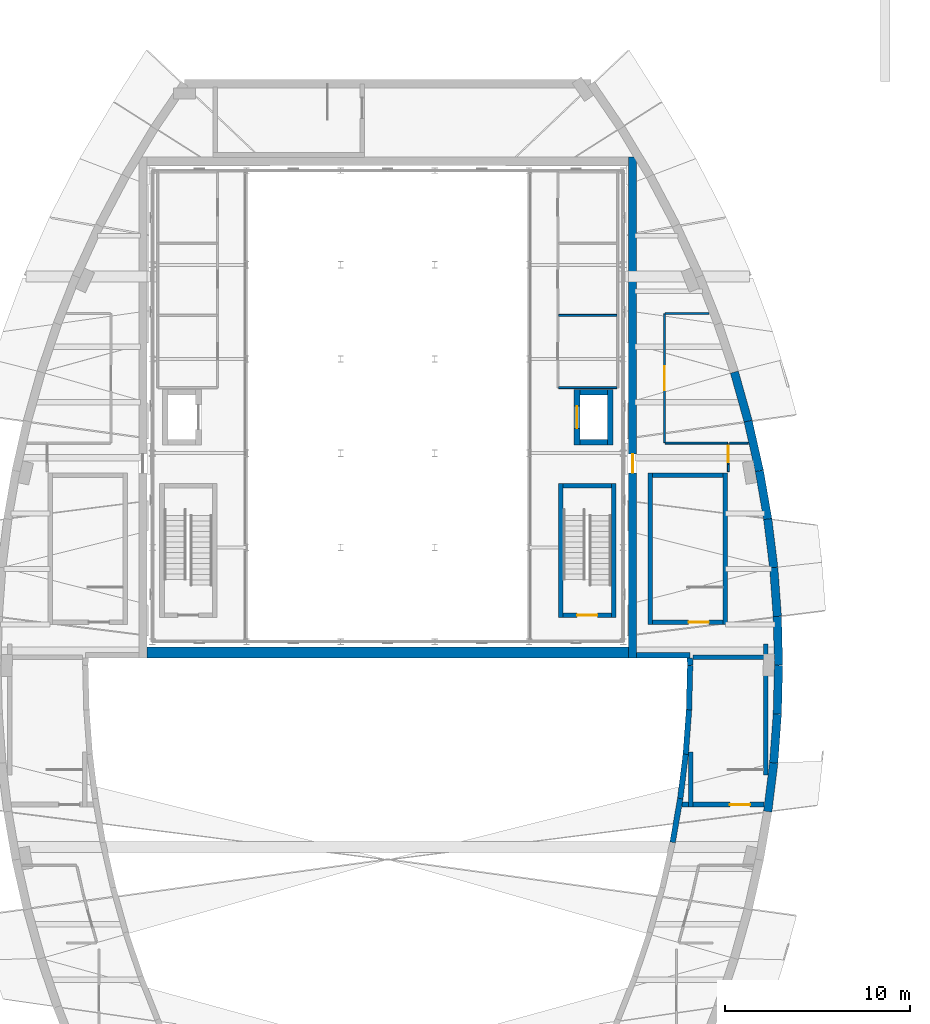
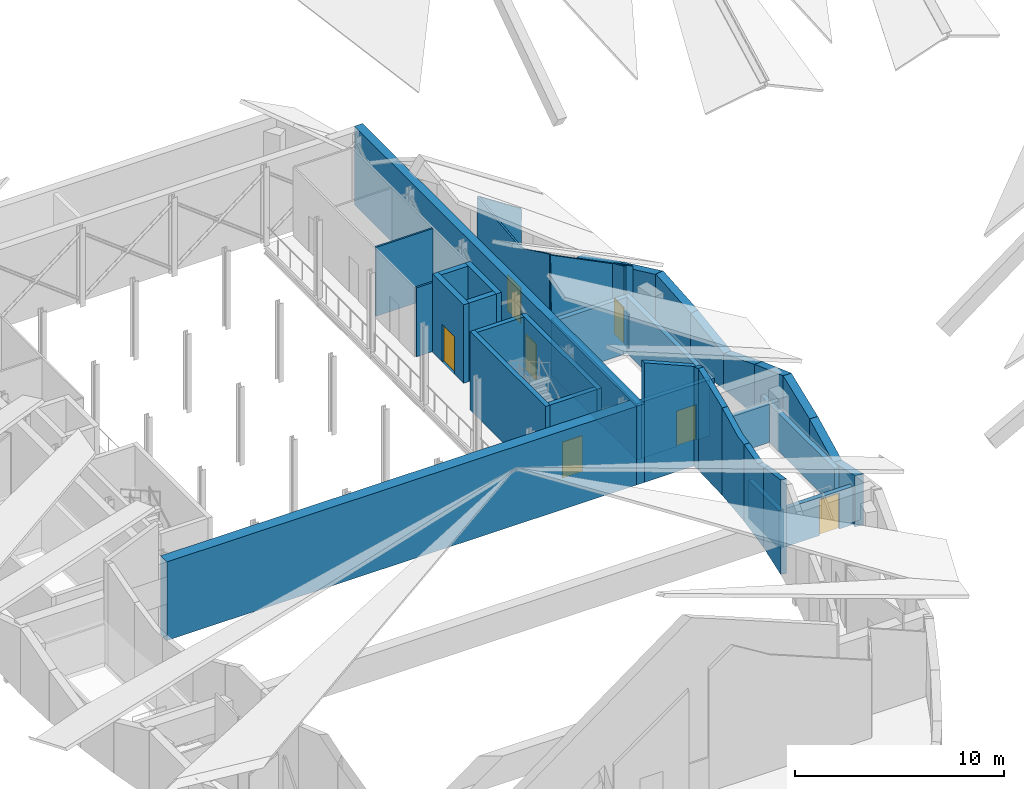
# One storey, part 15 of 17: 41 walls, 7 doors, 7 openings.
"""IFC4 building model written with IfcOpenShell, lengths in metres."""

import ifcopenshell
import ifcopenshell.guid

model = None  # the IFC model being written
_history = None  # IfcOwnerHistory: only IFC2X3 demands one
_inside = {}  # id of a spatial element -> (the spatial element, [elements in it])
_under = {}  # id of a project, library or spatial element -> (it, [spatial elements below it])
_declared = {}  # id of a project -> (the project, [libraries it declares])
_typed = {}  # id of a type object -> (the type object, [elements of that type])
_made_of = {}  # id of a material, layer set ... -> (it, [elements and type objects made of it])


def new_model(schema):
    """Start an empty IFC model of exactly this schema.

    Asked for "IFC4X3", IfcOpenShell would pick the latest addendum, in which some entities
    have other attributes; the version numbers below select the first issue.
    IFC2X3 requires an IfcOwnerHistory on every rooted entity: one is made here for all.
    """
    global model, _history
    if schema == "IFC4X3":
        model = ifcopenshell.file(schema_version=(4, 3, 0, 0))
    else:
        model = ifcopenshell.file(schema=schema)
    _inside.clear()
    _under.clear()
    _declared.clear()
    _typed.clear()
    _made_of.clear()
    _history = None
    if model.schema == "IFC2X3":
        org = make("IfcOrganization", Name="unknown")
        user = make(
            "IfcPersonAndOrganization",
            ThePerson=make("IfcPerson", FamilyName="unknown"),
            TheOrganization=org,
        )
        app = make(
            "IfcApplication",
            ApplicationDeveloper=org,
            Version="unknown",
            ApplicationFullName="unknown",
            ApplicationIdentifier="unknown",
        )
        _history = make(
            "IfcOwnerHistory",
            OwningUser=user,
            OwningApplication=app,
            ChangeAction="ADDED",
            CreationDate=0,
        )
    return model


def make(cls, **values):
    """One entity of the class cls with the attributes given. An attribute that is None is left unset."""
    return model.create_entity(
        cls, **{name: value for name, value in values.items() if value is not None}
    )


def rooted(cls, **values):
    """An entity with a GlobalId (a new one), such as an element, a storey or a relation."""
    return make(cls, GlobalId=ifcopenshell.guid.new(), OwnerHistory=_history, **values)


def si_unit(unit_type, name, prefix=None):
    """IfcSIUnit, for example si_unit("LENGTHUNIT", "METRE", prefix="MILLI")."""
    return make("IfcSIUnit", UnitType=unit_type, Prefix=prefix, Name=name)


def assignment(units):
    """IfcUnitAssignment: the units of a project."""
    return None if units is None else make("IfcUnitAssignment", Units=units)


def point(xyz):
    """IfcCartesianPoint."""
    return None if xyz is None else make("IfcCartesianPoint", Coordinates=xyz)


def direction(xyz):
    """IfcDirection."""
    return None if xyz is None else make("IfcDirection", DirectionRatios=xyz)


def frame(location, z_axis=None, x_axis=None):
    """IfcAxis2Placement3D, a coordinate frame: its origin and axes. An axis left out is left unset."""
    return make(
        "IfcAxis2Placement3D",
        Location=point(location),
        Axis=direction(z_axis),
        RefDirection=direction(x_axis),
    )


def frame_2d(location, x_axis=None):
    """IfcAxis2Placement2D, a coordinate frame in the plane: its origin and x axis."""
    return make(
        "IfcAxis2Placement2D", Location=point(location), RefDirection=direction(x_axis)
    )


def origin():
    """The frame at (0, 0, 0) with its axes left unset."""
    return frame((0.0, 0.0, 0.0))


def place(relative_to, where):
    """IfcLocalPlacement: puts the frame where relative to a parent placement (None: the world)."""
    return make(
        "IfcLocalPlacement", PlacementRelTo=relative_to, RelativePlacement=where
    )


def context(
    kind, dimensions, precision=None, world=None, true_north=None, identifier=None
):
    """IfcGeometricRepresentationContext, for example the 3D "Model" context."""
    return make(
        "IfcGeometricRepresentationContext",
        ContextIdentifier=identifier,
        ContextType=kind,
        CoordinateSpaceDimension=dimensions,
        Precision=precision,
        WorldCoordinateSystem=world,
        TrueNorth=true_north,
    )


def subcontext(parent, identifier, kind, view, scale=None):
    """IfcGeometricRepresentationSubContext, for example "Body" below "Model"."""
    return make(
        "IfcGeometricRepresentationSubContext",
        ContextIdentifier=identifier,
        ContextType=kind,
        ParentContext=parent,
        TargetScale=scale,
        TargetView=view,
    )


def project(units=None, contexts=None):
    """IfcProject with its units and contexts."""
    return rooted(
        "IfcProject",
        Name="project",
        RepresentationContexts=contexts,
        UnitsInContext=assignment(units),
    )


def spatial(cls, under=None, at=None, **own):
    """A site, building, storey or space (cls), placed at a placement, below another one or the project."""
    s = rooted(cls, ObjectPlacement=at, **own)
    if under is not None:
        _under.setdefault(under.id(), (under, []))[1].append(s)
    return s


def polyline(points):
    """IfcPolyline through the points."""
    return make("IfcPolyline", Points=[point(p) for p in points])


def profile(cls, at=None, kind="AREA", **sizes):
    """A parametric profile (cls). Its sizes go by their IFC names, for example OverallWidth=200.0."""
    return make(cls, ProfileType=kind, Position=at, **sizes)


def rectangle(**sizes):
    """IfcRectangleProfileDef."""
    return profile("IfcRectangleProfileDef", **sizes)


def outline(outer, holes=None, kind="AREA"):
    """IfcArbitraryClosedProfileDef: a profile drawn as a closed curve; with holes, ...WithVoids."""
    if holes is None:
        return make("IfcArbitraryClosedProfileDef", ProfileType=kind, OuterCurve=outer)
    return make(
        "IfcArbitraryProfileDefWithVoids",
        ProfileType=kind,
        OuterCurve=outer,
        InnerCurves=holes,
    )


def extrude(swept, where, along, depth):
    """IfcExtrudedAreaSolid: the profile swept, set in the frame where, extruded along a direction by depth."""
    return make(
        "IfcExtrudedAreaSolid",
        SweptArea=swept,
        Position=where,
        ExtrudedDirection=direction(along),
        Depth=depth,
    )


def shape(context_of_items, identifier, shape_type, items):
    """IfcShapeRepresentation: the items that make up one representation, for example the "Body"."""
    return make(
        "IfcShapeRepresentation",
        ContextOfItems=context_of_items,
        RepresentationIdentifier=identifier,
        RepresentationType=shape_type,
        Items=items,
    )


def material(Name=None, Category=None):
    """IfcMaterial."""
    return make("IfcMaterial", Name=Name, Category=Category)


def layer(
    of_material, thickness, ventilated=None, Name=None, Category=None, Priority=None
):
    """IfcMaterialLayer: one layer of a wall or slab, of a material (None: an air gap)."""
    return make(
        "IfcMaterialLayer",
        Material=of_material,
        LayerThickness=thickness,
        IsVentilated=ventilated,
        Name=Name,
        Category=Category,
        Priority=Priority,
    )


def layer_set(layers, Name=None):
    """IfcMaterialLayerSet."""
    return make("IfcMaterialLayerSet", MaterialLayers=layers, LayerSetName=Name)


def made_of(thing, what):
    """Note that an element or type object is made of a material, layer set ...; save() writes the relation."""
    if what is not None:
        _made_of.setdefault(what.id(), (what, []))[1].append(thing)
    return thing


def type_object(cls, material=None, **own):
    """A type object (cls), such as IfcWallType, which elements share."""
    return made_of(rooted(cls, **own), material)


def element(
    cls,
    number,
    at=None,
    inside=None,
    cuts=None,
    type_object=None,
    material=None,
    context=None,
    identifier="Body",
    shape_type=None,
    held_by="IfcProductDefinitionShape",
    body=None,
    shapes=None,
    **own,
):
    """One element of the class cls, such as IfcWall. Its Tag is "e" and its number.

    at: its placement. inside: the storey or other place that contains it. cuts: it is an
    opening in that element (IfcRelVoidsElement). A single representation is given by context,
    identifier, shape_type and body (its items); several are given by shapes. held_by: the class
    of the entity that holds the representations. save() writes the other relations.
    """
    e = rooted(cls, Tag="e%d" % number, ObjectPlacement=at, **own)
    if body is not None:
        shapes = [shape(context, identifier, shape_type, body)]
    if shapes is not None:
        e.Representation = make(held_by, Representations=shapes)
    if inside is not None:
        _inside.setdefault(inside.id(), (inside, []))[1].append(e)
    if cuts is not None:
        rooted(
            "IfcRelVoidsElement", RelatingBuildingElement=cuts, RelatedOpeningElement=e
        )
    if type_object is not None:
        _typed.setdefault(type_object.id(), (type_object, []))[1].append(e)
    return made_of(e, material)


def fill(opening, filler):
    """IfcRelFillsElement: the door or window that sits in an opening."""
    return rooted(
        "IfcRelFillsElement",
        RelatingOpeningElement=opening,
        RelatedBuildingElement=filler,
    )


def aggregate(whole, parts):
    """IfcRelAggregates: a whole, such as a stair, and the parts it consists of."""
    return rooted("IfcRelAggregates", RelatingObject=whole, RelatedObjects=parts)


def save(model, path):
    """Write the relations noted so far, then the file.

    IfcRelAggregates (storeys below a building ...), IfcRelContainedInSpatialStructure (elements
    in a storey), IfcRelDefinesByType, IfcRelAssociatesMaterial and IfcRelDeclares: one each for
    every whole, place, type object, material and project.
    """
    for whole, parts in _under.values():
        aggregate(whole, parts)
    for where, things in _inside.values():
        rooted(
            "IfcRelContainedInSpatialStructure",
            RelatedElements=things,
            RelatingStructure=where,
        )
    for kind, things in _typed.values():
        rooted("IfcRelDefinesByType", RelatedObjects=things, RelatingType=kind)
    for what, things in _made_of.values():
        rooted("IfcRelAssociatesMaterial", RelatedObjects=things, RelatingMaterial=what)
    for by, libraries in _declared.values():
        rooted("IfcRelDeclares", RelatingContext=by, RelatedDefinitions=libraries)
    model.write(path)


model = new_model("IFC4")

# Units and contexts
model_context = context("Model", 3, precision=1e-05, world=origin(), true_north=direction((0.0, 1.0)))
body_context = subcontext(model_context, "Body", "Model", "MODEL_VIEW")
ifc_project = project(units=[si_unit("LENGTHUNIT", "METRE"), si_unit("AREAUNIT", "SQUARE_METRE"), si_unit("VOLUMEUNIT", "CUBIC_METRE"), si_unit("PLANEANGLEUNIT", "RADIAN"), si_unit("MASSUNIT", "GRAM", prefix="KILO")], contexts=[model_context])

# Site, building, storey
site_placement = place(None, origin())
site = spatial("IfcSite", under=ifc_project, at=site_placement, CompositionType="ELEMENT")
building_placement = place(site_placement, origin())
building = spatial("IfcBuilding", under=site, at=building_placement, Name="Tide Square Theatres", CompositionType="ELEMENT")
storey_placement = place(building_placement, frame((0.0, 0.0, 14.800048828125)))
storey = spatial("IfcBuildingStorey", under=building, at=storey_placement, Name="L03", CompositionType="ELEMENT", Elevation=14.800048828125)

# Walls
ifc_material_1 = material(Name="Gypsum board on steel studs", Category="steel")
ifc_layer_1 = layer(ifc_material_1, 0.10009765625)
ifc_layer_set_1 = layer_set([ifc_layer_1], Name="Gypsum board on steel studs")
wall_type_1 = type_object("IfcWallType", Name="Partition 100 thick", PredefinedType="PARTITIONING", material=ifc_layer_set_1)
for number, where, z_axis, x_axis, name in (
    (1, (96.384033203125, 70.0, 0.0), (0.0, 0.0, 1.0), (-1.0, 0.0, 0.0), "Partition"),
    (2, (96.384033203125, 73.89990234375, 0.0), (0.0, 0.0, 1.0), (-1.0, 0.0, 0.0), "Partition"),
):
    element("IfcWall", number, at=place(storey_placement, frame(where, z_axis=z_axis, x_axis=x_axis)), inside=storey, type_object=wall_type_1, Name=name, PredefinedType="PARTITIONING", context=body_context, shape_type="SweptSolid", body=[
        extrude(rectangle(XDim=3.159912109375, YDim=0.10009765625, at=frame_2d((1.580078125, 0.0))), origin(), (0.0, 0.0, 1.0), 4.0400390625),
    ])

# Wall, opening, door
wall_1_placement = place(storey_placement, frame((98.949951171875, 67.023193359375, 0.0), z_axis=(0.0, 0.0, 1.0), x_axis=(0.0, 1.0, 0.0)))
wall_1 = element("IfcWall", 3, at=wall_1_placement, inside=storey, type_object=wall_type_1, Name="Partition", PredefinedType="PARTITIONING", context=body_context, shape_type="SweptSolid", body=[
    extrude(outline(polyline([(0.0, 0.0), (6.95361328125, 0.0), (6.9541015625, 4.951904296875), (6.696044921875, 4.9228515625), (6.43896484375, 4.889892578125), (6.180908203125, 4.85791015625), (5.924072265625, 4.824951171875), (5.666015625, 4.7919921875), (5.407958984375, 4.760009765625), (5.15087890625, 4.72705078125), (4.89306640625, 4.69384765625), (4.635986328125, 4.66796875), (4.3779296875, 4.64404296875), (4.12109375, 4.618896484375), (3.863037109375, 4.594970703125), (3.60595703125, 4.570068359375), (3.347900390625, 4.5458984375), (3.091064453125, 4.52197265625), (2.8330078125, 4.4970703125), (2.574951171875, 4.56396484375), (2.318115234375, 4.68701171875), (2.06005859375, 4.81005859375), (1.802978515625, 4.933837890625), (1.544921875, 5.056884765625), (1.2880859375, 5.179931640625), (1.030029296875, 5.302978515625), (0.77294921875, 5.426025390625), (0.514892578125, 5.550048828125), (0.258056640625, 5.666015625), (0.0, 5.781005859375), (0.0, 0.0)])), frame((0.0, 0.050048828125, 0.0), z_axis=(0.0, -1.0, 0.0), x_axis=(1.0, 0.0, 0.0)), (0.0, 0.0, 1.0), 0.10009765625),
])
opening_1_placement = place(wall_1_placement, frame((2.826904296875, 0.0, 0.0)))
opening_1 = element("IfcOpeningElement", 4, at=opening_1_placement, cuts=wall_1, Name="Opening M03-13", PredefinedType="OPENING", context=body_context, shape_type="SweptSolid", body=[
    extrude(rectangle(XDim=1.300048828125, YDim=2.10009765625, at=frame_2d((0.64990234375, 1.050048828125))), frame((0.0, 0.06005859375, 0.0), z_axis=(0.0, -1.0, 0.0), x_axis=(1.0, 0.0, 0.0)), (0.0, 0.0, 1.0), 0.1201171875),
])
ifc_material_2 = material(Name="Hardwood timber", Category="wood")
door_type_1 = type_object("IfcDoorType", Name="Door 1300 x 2100 double leaf", OperationType="DOUBLE_DOOR_SINGLE_SWING", PredefinedType="DOOR", material=ifc_material_2)
door_1_placement = place(opening_1_placement, origin())
door_1 = element("IfcDoor", 5, at=door_1_placement, inside=storey, type_object=door_type_1, Name="Air Handling Plant Room 02 door", OperationType="DOUBLE_DOOR_SINGLE_SWING", OverallHeight=2.10009765625, OverallWidth=1.300048828125, PredefinedType="DOOR", context=body_context, shape_type="SweptSolid", body=[
    extrude(rectangle(XDim=1.300048828125, YDim=2.10009765625, at=frame_2d((0.64990234375, 1.050048828125))), frame((0.0, 0.02490234375, 0.0), z_axis=(0.0, -1.0, 0.0), x_axis=(1.0, 0.0, 0.0)), (0.0, 0.0, 1.0), 0.050048828125),
])
fill(opening_1, door_1)

# Walls
wall_2_placement = place(storey_placement, frame((98.983154296875, 74.0, 0.0), z_axis=(0.0, 0.0, 1.0), x_axis=(1.0, 0.0, 0.0)))
element("IfcWall", 6, at=wall_2_placement, inside=storey, type_object=wall_type_1, Name="Partition", PredefinedType="PARTITIONING", context=body_context, shape_type="SweptSolid", body=[
    extrude(outline(polyline([(0.0, 0.0), (2.36376953125, 0.0), (2.3740234375, 3.388916015625), (2.110107421875, 3.56103515625), (1.845947265625, 3.73291015625), (1.5830078125, 3.906005859375), (1.319091796875, 4.077880859375), (1.054931640625, 4.25), (0.791015625, 4.421875), (0.528076171875, 4.594970703125), (0.263916015625, 4.766845703125), (0.0, 4.93896484375), (0.0, 0.0)])), frame((0.0, 0.050048828125, 0.0), z_axis=(0.0, -1.0, 0.0), x_axis=(1.0, 0.0, 0.0)), (0.0, 0.0, 1.0), 0.10009765625),
])
wall_3_placement = place(storey_placement, frame((102.360107421875, 67.0, 0.0), z_axis=(0.0, 0.0, 1.0), x_axis=(-1.0, 0.0, 0.0)))
element("IfcWall", 7, at=wall_3_placement, inside=storey, type_object=wall_type_1, Name="Partition", PredefinedType="PARTITIONING", context=body_context, shape_type="SweptSolid", body=[
    extrude(outline(polyline([(0.0, 0.0), (3.376953125, 0.0), (3.447021484375, 5.780029296875), (3.181884765625, 5.64794921875), (2.9169921875, 5.515869140625), (2.65087890625, 5.384033203125), (2.385986328125, 5.251953125), (2.12109375, 5.118896484375), (1.85595703125, 4.987060546875), (1.591064453125, 4.85498046875), (1.325927734375, 4.722900390625), (1.06103515625, 4.591064453125), (0.794921875, 4.458984375), (0.530029296875, 4.326904296875), (0.264892578125, 4.195068359375), (0.0, 4.06298828125), (0.0, 0.0)])), frame((0.0, 0.050048828125, 0.0), z_axis=(0.0, -1.0, 0.0), x_axis=(1.0, 0.0, 0.0)), (0.0, 0.0, 1.0), 0.10009765625),
])
wall_4_placement = place(storey_placement, frame((102.39990234375, 65.4599609375, 0.0), z_axis=(0.0, 0.0, 1.0), x_axis=(0.0, 1.0, 0.0)))
element("IfcWall", 8, at=wall_4_placement, inside=storey, type_object=wall_type_1, Name="Partition", PredefinedType="PARTITIONING", context=body_context, shape_type="SweptSolid", body=[
    extrude(rectangle(XDim=0.3935546875, YDim=0.10009765625, at=frame_2d((0.19677734375, 0.0))), origin(), (0.0, 0.0, 1.0), 1.995849609375),
])

# Wall, opening, door
wall_5_placement = place(storey_placement, frame((102.39990234375, 65.853515625, 0.0), z_axis=(0.0, 0.0, 1.0), x_axis=(0.0, 1.0, 0.0)))
wall_5 = element("IfcWall", 9, at=wall_5_placement, inside=storey, type_object=wall_type_1, Name="Partition", PredefinedType="PARTITIONING", context=body_context, shape_type="SweptSolid", body=[
    extrude(outline(polyline([(0.0, 0.0), (1.12646484375, 0.0), (1.126953125, 4.08203125), (0.844970703125, 4.2080078125), (0.56298828125, 4.333984375), (0.281982421875, 4.4599609375), (0.0, 4.5859375), (0.0, 0.0)])), frame((0.0, 0.050048828125, 0.0), z_axis=(0.0, -1.0, 0.0), x_axis=(1.0, 0.0, 0.0)), (0.0, 0.0, 1.0), 0.10009765625),
])
opening_2_placement = place(wall_5_placement, frame((0.11328125, 0.0, 0.0)))
opening_2 = element("IfcOpeningElement", 10, at=opening_2_placement, cuts=wall_5, Name="Opening M03-15", PredefinedType="OPENING", context=body_context, shape_type="SweptSolid", body=[
    extrude(rectangle(XDim=0.89990234375, YDim=2.10009765625, at=frame_2d((0.449951171875, 1.050048828125))), frame((0.0, 0.06005859375, 0.0), z_axis=(0.0, -1.0, 0.0), x_axis=(1.0, 0.0, 0.0)), (0.0, 0.0, 1.0), 0.1201171875),
])
ifc_material_3 = material(Name="Hardwood timber", Category="wood")
door_type_2 = type_object("IfcDoorType", Name="Door 900 x 2100 single leaf", OperationType="NOTDEFINED", PredefinedType="DOOR", material=ifc_material_3)
door_2_placement = place(opening_2_placement, frame((0.89990234375, 0.0, 0.0), z_axis=(0.0, 0.0, 1.0), x_axis=(-1.0, 0.0, 0.0)))
door_2 = element("IfcDoor", 11, at=door_2_placement, inside=storey, type_object=door_type_2, Name="Dimmer and Rack Room door", OperationType="SINGLE_SWING_LEFT", OverallHeight=2.10009765625, OverallWidth=0.89990234375, PredefinedType="DOOR", context=body_context, shape_type="SweptSolid", body=[
    extrude(rectangle(XDim=0.89990234375, YDim=2.10009765625, at=frame_2d((0.449951171875, 1.050048828125))), frame((0.0, 0.02490234375, 0.0), z_axis=(0.0, -1.0, 0.0), x_axis=(1.0, 0.0, 0.0)), (0.0, 0.0, 1.0), 0.050048828125),
])
fill(opening_2, door_2)

# Walls
wall_6_placement = place(storey_placement, frame((103.46533203125, 67.0, 0.0), z_axis=(0.0, 0.0, 1.0), x_axis=(-1.0, 0.0, 0.0)))
element("IfcWall", 12, at=wall_6_placement, inside=storey, type_object=wall_type_1, Name="Partition", PredefinedType="PARTITIONING", context=body_context, shape_type="SweptSolid", body=[
    extrude(outline(polyline([(0.0, 0.0), (0.995361328125, 0.0), (0.9951171875, 4.037841796875), (0.6640625, 3.873046875), (0.33203125, 3.7080078125), (0.0, 3.5419921875), (0.0, 0.0)])), frame((0.0, 0.050048828125, 0.0), z_axis=(0.0, -1.0, 0.0), x_axis=(1.0, 0.0, 0.0)), (0.0, 0.0, 1.0), 0.10009765625),
])
ifc_material_4 = material(Name="Concrete C40", Category="concrete")
ifc_layer_2 = layer(ifc_material_4, 0.449951171875)
ifc_layer_set_2 = layer_set([ifc_layer_2], Name="Concrete C40")
wall_type_2 = type_object("IfcWallType", Name="RC curved wall 450 thick", PredefinedType="SOLIDWALL", material=ifc_layer_set_2)
wall_7_placement = place(storey_placement, frame((104.526611328125, 47.10009765625, 0.0), z_axis=(0.0, 0.0, 1.0), x_axis=(0.122499610212, 0.992468561466, 0.0)))
element("IfcWall", 13, at=wall_7_placement, inside=storey, type_object=wall_type_2, Name="Main Theatre perimeter wall", PredefinedType="SOLIDWALL", context=body_context, shape_type="SweptSolid", body=[
    extrude(outline(polyline([(0.0, 0.0), (2.642822265625, 0.0), (2.642578125, 2.096435546875), (2.5556640625, 2.126220703125), (0.05712890625, 2.977783203125), (0.0, 2.996337890625), (0.0, 0.0)])), frame((0.0, 0.22509765625, 0.0), z_axis=(0.0, -1.0, 0.0), x_axis=(1.0, 0.0, 0.0)), (0.0, 0.0, 1.0), 0.449951171875),
])
wall_8_placement = place(storey_placement, frame((104.850341796875, 49.722900390625, 0.0), z_axis=(0.0, 0.0, 1.0), x_axis=(0.07363685767, 0.997285121313, 0.0)))
element("IfcWall", 14, at=wall_8_placement, inside=storey, type_object=wall_type_2, Name="Main Theatre perimeter wall", PredefinedType="SOLIDWALL", context=body_context, shape_type="SweptSolid", body=[
    extrude(outline(polyline([(0.0, 0.0), (2.642333984375, 0.0), (2.642578125, 2.969970703125), (2.631103515625, 2.96630859375), (0.0, 2.0927734375), (0.0, 0.0)])), frame((0.0, 0.22509765625, 0.0), z_axis=(0.0, -1.0, 0.0), x_axis=(1.0, 0.0, 0.0)), (0.0, 0.0, 1.0), 0.449951171875),
])
wall_9_placement = place(storey_placement, frame((105.044921875, 52.358154296875, 0.0), z_axis=(0.0, 0.0, 1.0), x_axis=(0.024666736886, 0.999695729756, 0.0)))
element("IfcWall", 15, at=wall_9_placement, inside=storey, type_object=wall_type_2, Name="Main Theatre perimeter wall", PredefinedType="SOLIDWALL", context=body_context, shape_type="SweptSolid", body=[
    extrude(outline(polyline([(0.0, 0.0), (2.642578125, 0.0), (2.642578125, 3.87353515625), (2.572509765625, 3.849853515625), (0.0, 2.9736328125), (0.0, 0.0)])), frame((0.0, 0.22509765625, 0.0), z_axis=(0.0, -1.0, 0.0), x_axis=(1.0, 0.0, 0.0)), (0.0, 0.0, 1.0), 0.449951171875),
])
wall_10_placement = place(storey_placement, frame((105.110107421875, 55.0, 0.0), z_axis=(0.0, 0.0, 1.0), x_axis=(-0.024666736886, 0.999695729756, 0.0)))
element("IfcWall", 16, at=wall_10_placement, inside=storey, type_object=wall_type_2, Name="Main Theatre perimeter wall", PredefinedType="SOLIDWALL", context=body_context, shape_type="SweptSolid", body=[
    extrude(outline(polyline([(0.0, 0.0), (2.642578125, 0.0), (2.642578125, 2.9736328125), (2.6201171875, 2.9814453125), (0.05908203125, 3.853515625), (0.0, 3.87353515625), (0.0, 0.0)])), frame((0.0, 0.22509765625, 0.0), z_axis=(0.0, -1.0, 0.0), x_axis=(1.0, 0.0, 0.0)), (0.0, 0.0, 1.0), 0.449951171875),
])
wall_11_placement = place(storey_placement, frame((105.044921875, 57.641845703125, 0.0), z_axis=(0.0, 0.0, 1.0), x_axis=(-0.07363685767, 0.997285121313, 0.0)))
element("IfcWall", 17, at=wall_11_placement, inside=storey, type_object=wall_type_2, Name="Main Theatre perimeter wall", PredefinedType="SOLIDWALL", context=body_context, shape_type="SweptSolid", body=[
    extrude(outline(polyline([(0.0, 0.0), (2.642333984375, 0.0), (2.642578125, 2.069091796875), (2.60302734375, 2.08251953125), (0.0, 2.969970703125), (0.0, 0.0)])), frame((0.0, 0.22509765625, 0.0), z_axis=(0.0, -1.0, 0.0), x_axis=(1.0, 0.0, 0.0)), (0.0, 0.0, 1.0), 0.449951171875),
])
wall_12_placement = place(storey_placement, frame((104.850341796875, 60.277099609375, 0.0), z_axis=(0.0, 0.0, 1.0), x_axis=(-0.122499610212, 0.992468561466, 0.0)))
element("IfcWall", 18, at=wall_12_placement, inside=storey, type_object=wall_type_2, Name="Main Theatre perimeter wall", PredefinedType="SOLIDWALL", context=body_context, shape_type="SweptSolid", body=[
    extrude(outline(polyline([(0.0, 0.0), (2.642822265625, 0.0), (2.642578125, 2.966552734375), (2.58544921875, 2.9482421875), (0.0869140625, 2.096435546875), (0.0, 2.06689453125), (0.0, 0.0)])), frame((0.0, 0.22509765625, 0.0), z_axis=(0.0, -1.0, 0.0), x_axis=(1.0, 0.0, 0.0)), (0.0, 0.0, 1.0), 0.449951171875),
])
wall_13_placement = place(storey_placement, frame((104.526611328125, 62.89990234375, 0.0), z_axis=(0.0, 0.0, 1.0), x_axis=(-0.171196910379, 0.985236833394, 0.0)))
element("IfcWall", 19, at=wall_13_placement, inside=storey, type_object=wall_type_2, Name="Main Theatre perimeter wall", PredefinedType="SOLIDWALL", context=body_context, shape_type="SweptSolid", body=[
    extrude(outline(polyline([(0.0, 0.0), (2.642578125, 0.0), (2.642578125, 3.83154296875), (2.602294921875, 3.8564453125), (2.524169921875, 3.829833984375), (0.069091796875, 2.99365234375), (0.0, 2.97021484375), (0.0, 0.0)])), frame((0.0, 0.22509765625, 0.0), z_axis=(0.0, -1.0, 0.0), x_axis=(1.0, 0.0, 0.0)), (0.0, 0.0, 1.0), 0.449951171875),
])
wall_14_placement = place(storey_placement, frame((104.07421875, 65.50341796875, 0.0), z_axis=(0.0, 0.0, 1.0), x_axis=(-0.220347996563, 0.975421324562, 0.0)))
element("IfcWall", 20, at=wall_14_placement, inside=storey, type_object=wall_type_2, Name="Main Theatre perimeter wall", PredefinedType="SOLIDWALL", context=body_context, shape_type="SweptSolid", body=[
    extrude(outline(polyline([(0.0, 0.0), (2.752197265625, 0.0), (2.75244140625, 2.925048828125), (2.733154296875, 2.93212890625), (0.130859375, 3.784912109375), (0.080078125, 3.801513671875), (0.0, 3.82763671875), (0.0, 0.0)])), frame((0.0, 0.22509765625, 0.0), z_axis=(0.0, -1.0, 0.0), x_axis=(1.0, 0.0, 0.0)), (0.0, 0.0, 1.0), 0.449951171875),
])
wall_15_placement = place(storey_placement, frame((103.4677734375, 68.18798828125, 0.0), z_axis=(0.0, 0.0, 1.0), x_axis=(-0.270008269196, 0.962858003324, 0.0)))
element("IfcWall", 21, at=wall_15_placement, inside=storey, type_object=wall_type_2, Name="Main Theatre perimeter wall", PredefinedType="SOLIDWALL", context=body_context, shape_type="SweptSolid", body=[
    extrude(outline(polyline([(0.0, 0.0), (2.75244140625, 0.0), (2.752197265625, 2.02734375), (0.0, 2.921142578125), (0.0, 0.0)])), frame((0.0, 0.22509765625, 0.0), z_axis=(0.0, -1.0, 0.0), x_axis=(1.0, 0.0, 0.0)), (0.0, 0.0, 1.0), 0.449951171875),
])

# Wall, opening, door
wall_16_placement = place(storey_placement, frame((97.22509765625, 55.39990234375, 0.0), z_axis=(0.0, 0.0, 1.0), x_axis=(0.0, 1.0, 0.0)))
wall_16 = element("IfcWall", 22, at=wall_16_placement, inside=storey, type_object=wall_type_2, Name="Stage house wall", PredefinedType="SOLIDWALL", context=body_context, shape_type="SweptSolid", body=[
    extrude(rectangle(XDim=27.050048828125, YDim=0.449951171875, at=frame_2d((13.52490234375, 0.0))), origin(), (0.0, 0.0, 1.0), 4.599853515625),
])
opening_3_placement = place(wall_16_placement, frame((10.0, 0.0, 0.0)))
opening_3 = element("IfcOpeningElement", 23, at=opening_3_placement, cuts=wall_16, Name="Opening M03-17", PredefinedType="OPENING", context=body_context, shape_type="SweptSolid", body=[
    extrude(rectangle(XDim=1.0, YDim=2.10009765625, at=frame_2d((0.5, 1.050048828125))), frame((0.0, 0.23486328125, 0.0), z_axis=(0.0, -1.0, 0.0), x_axis=(1.0, 0.0, 0.0)), (0.0, 0.0, 1.0), 0.469970703125),
])
ifc_material_5 = material(Name="Hardwood timber", Category="wood")
door_type_3 = type_object("IfcDoorType", Name="Door 1000 x 2100 single leaf", OperationType="NOTDEFINED", PredefinedType="DOOR", material=ifc_material_5)
door_3_placement = place(opening_3_placement, frame((1.0, 0.0, 0.0), z_axis=(0.0, 0.0, 1.0), x_axis=(-1.0, 0.0, 0.0)))
door_3 = element("IfcDoor", 24, at=door_3_placement, inside=storey, type_object=door_type_3, Name="Plant corridor door to the fly gallery", OperationType="SINGLE_SWING_LEFT", OverallHeight=2.10009765625, OverallWidth=1.0, PredefinedType="DOOR", context=body_context, shape_type="SweptSolid", body=[
    extrude(rectangle(XDim=1.0, YDim=2.10009765625, at=frame_2d((0.5, 1.050048828125))), frame((0.0, 0.02490234375, 0.0), z_axis=(0.0, -1.0, 0.0), x_axis=(1.0, 0.0, 0.0)), (0.0, 0.0, 1.0), 0.050048828125),
])
fill(opening_3, door_3)

# Walls
ifc_material_6 = material(Name="Concrete C40", Category="concrete")
ifc_layer_3 = layer(ifc_material_6, 0.25)
ifc_layer_set_3 = layer_set([ifc_layer_3], Name="Concrete C40")
wall_type_3 = type_object("IfcWallType", Name="RC shear wall 250 thick", PredefinedType="SHEAR", material=ifc_layer_set_3)
for number, where, z_axis, x_axis, name in (
    (25, (102.22509765625, 57.199951171875, 0.0), (0.0, 0.0, 1.0), (0.0, 1.0, 0.0), "Main Theatre East Stair shaft wall"),
    (26, (98.175048828125, 65.39990234375, 0.0), (0.0, 0.0, 1.0), (0.0, -1.0, 0.0), "Main Theatre East Stair shaft wall"),
):
    element("IfcWall", number, at=place(storey_placement, frame(where, z_axis=z_axis, x_axis=x_axis)), inside=storey, type_object=wall_type_3, Name=name, PredefinedType="SHEAR", context=body_context, shape_type="SweptSolid", body=[
        extrude(rectangle(XDim=8.199951171875, YDim=0.25, at=frame_2d((4.10009765625, 0.0))), origin(), (0.0, 0.0, 1.0), 3.294189453125),
    ])
wall_17_placement = place(storey_placement, frame((98.300048828125, 65.27490234375, 0.0), z_axis=(0.0, 0.0, 1.0), x_axis=(1.0, 0.0, 0.0)))
element("IfcWall", 27, at=wall_17_placement, inside=storey, type_object=wall_type_3, Name="Main Theatre East Stair shaft wall", PredefinedType="SHEAR", context=body_context, shape_type="SweptSolid", body=[
    extrude(rectangle(XDim=3.800048828125, YDim=0.25, at=frame_2d((1.89990234375, 0.0))), origin(), (0.0, 0.0, 1.0), 3.294189453125),
])

# Wall, opening, door
wall_18_placement = place(storey_placement, frame((102.10009765625, 57.324951171875, 0.0), z_axis=(0.0, 0.0, 1.0), x_axis=(-1.0, 0.0, 0.0)))
wall_18 = element("IfcWall", 28, at=wall_18_placement, inside=storey, type_object=wall_type_3, Name="Main Theatre East Stair shaft wall", PredefinedType="SHEAR", context=body_context, shape_type="SweptSolid", body=[
    extrude(rectangle(XDim=3.800048828125, YDim=0.25, at=frame_2d((1.89990234375, 0.0))), origin(), (0.0, 0.0, 1.0), 3.294189453125),
])
opening_4_placement = place(wall_18_placement, frame((0.75, 0.0, 0.0)))
opening_4 = element("IfcOpeningElement", 29, at=opening_4_placement, cuts=wall_18, Name="Opening M03-02", PredefinedType="OPENING", context=body_context, shape_type="SweptSolid", body=[
    extrude(rectangle(XDim=1.10009765625, YDim=2.10009765625, at=frame_2d((0.550048828125, 1.050048828125))), frame((0.0, 0.135009765625, 0.0), z_axis=(0.0, -1.0, 0.0), x_axis=(1.0, 0.0, 0.0)), (0.0, 0.0, 1.0), 0.27001953125),
])
ifc_material_7 = material(Name="Painted steel", Category="steel")
door_type_4 = type_object("IfcDoorType", Name="Door 1100 x 2100 single leaf", OperationType="NOTDEFINED", PredefinedType="DOOR", material=ifc_material_7)
door_4_placement = place(opening_4_placement, frame((1.10009765625, 0.0, 0.0), z_axis=(0.0, 0.0, 1.0), x_axis=(-1.0, 0.0, 0.0)))
door_4 = element("IfcDoor", 30, at=door_4_placement, inside=storey, type_object=door_type_4, Name="Main Theatre East Stair stair door", OperationType="SINGLE_SWING_LEFT", OverallHeight=2.10009765625, OverallWidth=1.10009765625, PredefinedType="DOOR", context=body_context, shape_type="SweptSolid", body=[
    extrude(rectangle(XDim=1.10009765625, YDim=2.10009765625, at=frame_2d((0.550048828125, 1.050048828125))), frame((0.0, 0.02490234375, 0.0), z_axis=(0.0, -1.0, 0.0), x_axis=(1.0, 0.0, 0.0)), (0.0, 0.0, 1.0), 0.050048828125),
])
fill(opening_4, door_4)

# Walls
wall_19_placement = place(storey_placement, frame((104.425048828125, 49.060791015625, 0.0), z_axis=(0.0, 0.0, 1.0), x_axis=(0.0, 1.0, 0.0)))
element("IfcWall", 31, at=wall_19_placement, inside=storey, type_object=wall_type_3, Name="Main Theatre East Circle Stair shaft wall", PredefinedType="SHEAR", context=body_context, shape_type="SweptSolid", body=[
    extrude(rectangle(XDim=7.089111328125, YDim=0.25, at=frame_2d((3.54443359375, 0.0))), origin(), (0.0, 0.0, 1.0), 2.23193359375),
])
wall_20_placement = place(storey_placement, frame((100.375, 50.318115234375, 0.0), z_axis=(0.0, 0.0, 1.0), x_axis=(0.0, -1.0, 0.0)))
element("IfcWall", 32, at=wall_20_placement, inside=storey, type_object=wall_type_3, Name="Main Theatre East Circle Stair shaft wall", PredefinedType="SHEAR", context=body_context, shape_type="SweptSolid", body=[
    extrude(rectangle(XDim=2.968017578125, YDim=0.25, at=frame_2d((1.48388671875, 0.0))), origin(), (0.0, 0.0, 1.0), 2.23193359375),
])
wall_21_placement = place(storey_placement, frame((100.47998046875, 55.425048828125, 0.0), z_axis=(0.0, 0.0, 1.0), x_axis=(1.0, 0.0, 0.0)))
element("IfcWall", 33, at=wall_21_placement, inside=storey, type_object=wall_type_3, Name="Main Theatre East Circle Stair shaft wall", PredefinedType="SHEAR", context=body_context, shape_type="SweptSolid", body=[
    extrude(rectangle(XDim=4.419921875, YDim=0.25, at=frame_2d((2.2099609375, 0.0))), origin(), (0.0, 0.0, 1.0), 2.23193359375),
])

# Wall, opening, door
wall_22_placement = place(storey_placement, frame((104.330078125, 47.47509765625, 0.0), z_axis=(0.0, 0.0, 1.0), x_axis=(-1.0, 0.0, 0.0)))
wall_22 = element("IfcWall", 34, at=wall_22_placement, inside=storey, type_object=wall_type_3, Name="Main Theatre East Circle Stair shaft wall", PredefinedType="SHEAR", context=body_context, shape_type="SweptSolid", body=[
    extrude(rectangle(XDim=4.43017578125, YDim=0.25, at=frame_2d((2.215087890625, 0.0))), origin(), (0.0, 0.0, 1.0), 2.23193359375),
])
opening_5_placement = place(wall_22_placement, frame((0.75, 0.0, 0.0)))
opening_5 = element("IfcOpeningElement", 35, at=opening_5_placement, cuts=wall_22, Name="Opening M03-04", PredefinedType="OPENING", context=body_context, shape_type="SweptSolid", body=[
    extrude(rectangle(XDim=1.10009765625, YDim=2.10009765625, at=frame_2d((0.550048828125, 1.050048828125))), frame((0.0, 0.135009765625, 0.0), z_axis=(0.0, -1.0, 0.0), x_axis=(1.0, 0.0, 0.0)), (0.0, 0.0, 1.0), 0.27001953125),
])
door_5_placement = place(opening_5_placement, origin())
door_5 = element("IfcDoor", 36, at=door_5_placement, inside=storey, type_object=door_type_4, Name="Main Theatre East Circle Stair stair door", OperationType="SINGLE_SWING_RIGHT", OverallHeight=2.10009765625, OverallWidth=1.10009765625, PredefinedType="DOOR", context=body_context, shape_type="SweptSolid", body=[
    extrude(rectangle(XDim=1.10009765625, YDim=2.10009765625, at=frame_2d((0.550048828125, 1.050048828125))), frame((0.0, 0.02490234375, 0.0), z_axis=(0.0, -1.0, 0.0), x_axis=(1.0, 0.0, 0.0)), (0.0, 0.0, 1.0), 0.050048828125),
])
fill(opening_5, door_5)

# Walls
for number, where, z_axis, x_axis, name in (
    (37, (96.198974609375, 57.575927734375, 0.0), (0.0, 0.0, 1.0), (0.0, 1.0, 0.0), "Fly Tower east stair shaft wall"),
    (38, (93.34912109375, 64.825927734375, 0.0), (0.0, 0.0, 1.0), (0.0, -1.0, 0.0), "Fly Tower east stair shaft wall"),
):
    element("IfcWall", number, at=place(storey_placement, frame(where, z_axis=z_axis, x_axis=x_axis)), inside=storey, type_object=wall_type_3, Name=name, PredefinedType="SHEAR", context=body_context, shape_type="SweptSolid", body=[
        extrude(rectangle(XDim=7.25, YDim=0.25, at=frame_2d((3.625, 0.0))), origin(), (0.0, 0.0, 1.0), 4.599853515625),
    ])
wall_23_placement = place(storey_placement, frame((93.47412109375, 64.700927734375, 0.0), z_axis=(0.0, 0.0, 1.0), x_axis=(1.0, 0.0, 0.0)))
element("IfcWall", 39, at=wall_23_placement, inside=storey, type_object=wall_type_3, Name="Fly Tower east stair shaft wall", PredefinedType="SHEAR", context=body_context, shape_type="SweptSolid", body=[
    extrude(rectangle(XDim=2.599853515625, YDim=0.25, at=frame_2d((1.2998046875, 0.0))), origin(), (0.0, 0.0, 1.0), 4.599853515625),
])

# Wall, opening, door
wall_24_placement = place(storey_placement, frame((96.073974609375, 57.700927734375, 0.0), z_axis=(0.0, 0.0, 1.0), x_axis=(-1.0, 0.0, 0.0)))
wall_24 = element("IfcWall", 40, at=wall_24_placement, inside=storey, type_object=wall_type_3, Name="Fly Tower east stair shaft wall", PredefinedType="SHEAR", context=body_context, shape_type="SweptSolid", body=[
    extrude(rectangle(XDim=2.599853515625, YDim=0.25, at=frame_2d((1.2998046875, 0.0))), origin(), (0.0, 0.0, 1.0), 4.599853515625),
])
opening_6_placement = place(wall_24_placement, frame((0.75, 0.0, 0.0)))
opening_6 = element("IfcOpeningElement", 41, at=opening_6_placement, cuts=wall_24, Name="Opening T03-02", PredefinedType="OPENING", context=body_context, shape_type="SweptSolid", body=[
    extrude(rectangle(XDim=1.10009765625, YDim=2.10009765625, at=frame_2d((0.550048828125, 1.050048828125))), frame((0.0, 0.135009765625, 0.0), z_axis=(0.0, -1.0, 0.0), x_axis=(1.0, 0.0, 0.0)), (0.0, 0.0, 1.0), 0.27001953125),
])
door_6_placement = place(opening_6_placement, origin())
door_6 = element("IfcDoor", 42, at=door_6_placement, inside=storey, type_object=door_type_4, Name="Fly Tower east stair stair door", OperationType="SINGLE_SWING_RIGHT", OverallHeight=2.10009765625, OverallWidth=1.10009765625, PredefinedType="DOOR", context=body_context, shape_type="SweptSolid", body=[
    extrude(rectangle(XDim=1.10009765625, YDim=2.10009765625, at=frame_2d((0.550048828125, 1.050048828125))), frame((0.0, 0.02490234375, 0.0), z_axis=(0.0, -1.0, 0.0), x_axis=(1.0, 0.0, 0.0)), (0.0, 0.0, 1.0), 0.050048828125),
])
fill(opening_6, door_6)

# Walls
ifc_material_8 = material(Name="Concrete C40", Category="concrete")
ifc_layer_4 = layer(ifc_material_8, 0.300048828125)
ifc_layer_set_4 = layer_set([ifc_layer_4], Name="Concrete C40")
wall_type_4 = type_object("IfcWallType", Name="RC shear wall 300 thick", PredefinedType="SHEAR", material=ifc_layer_set_4)
wall_25_placement = place(storey_placement, frame((99.39013671875, 45.431884765625, 0.0), z_axis=(0.0, 0.0, 1.0), x_axis=(0.171225522804, 0.985231861209, 0.0)))
element("IfcWall", 43, at=wall_25_placement, inside=storey, type_object=wall_type_4, Name="Main Theatre auditorium wall", PredefinedType="SHEAR", context=body_context, shape_type="SweptSolid", body=[
    extrude(outline(polyline([(0.0, 0.0), (2.405517578125, 0.0), (2.4052734375, 4.692138671875), (1.101318359375, 5.159423828125), (1.009033203125, 5.19091796875), (0.0, 5.534423828125), (0.0, 0.0)])), frame((0.0, 0.14990234375, 0.0), z_axis=(0.0, -1.0, 0.0), x_axis=(1.0, 0.0, 0.0)), (0.0, 0.0, 1.0), 0.300048828125),
])
wall_26_placement = place(storey_placement, frame((99.802001953125, 47.8017578125, 0.0), z_axis=(0.0, 0.0, 1.0), x_axis=(0.122487115362, 0.992470103615, 0.0)))
element("IfcWall", 44, at=wall_26_placement, inside=storey, type_object=wall_type_4, Name="Main Theatre auditorium wall", PredefinedType="SHEAR", context=body_context, shape_type="SweptSolid", body=[
    extrude(outline(polyline([(0.0, 0.0), (2.40771484375, 0.0), (2.407958984375, 4.4931640625), (0.739501953125, 4.436767578125), (0.681640625, 4.45751953125), (0.623779296875, 4.47705078125), (0.0, 4.689453125), (0.0, 0.0)])), frame((0.0, 0.14990234375, 0.0), z_axis=(0.0, -1.0, 0.0), x_axis=(1.0, 0.0, 0.0)), (0.0, 0.0, 1.0), 0.300048828125),
])
wall_27_placement = place(storey_placement, frame((100.096923828125, 50.19140625, 0.0), z_axis=(0.0, 0.0, 1.0), x_axis=(0.073711091533, 0.997279637306, 0.0)))
element("IfcWall", 45, at=wall_27_placement, inside=storey, type_object=wall_type_4, Name="Main Theatre auditorium wall", PredefinedType="SHEAR", context=body_context, shape_type="SweptSolid", body=[
    extrude(outline(polyline([(0.0, 0.0), (2.407958984375, 0.0), (2.407958984375, 5.111328125), (0.749267578125, 4.54638671875), (0.6962890625, 4.5341796875), (0.0, 4.49365234375), (0.0, 0.0)])), frame((0.0, 0.14990234375, 0.0), z_axis=(0.0, -1.0, 0.0), x_axis=(1.0, 0.0, 0.0)), (0.0, 0.0, 1.0), 0.300048828125),
])
wall_28_placement = place(storey_placement, frame((100.2744140625, 52.5927734375, 0.0), z_axis=(0.0, 0.0, 1.0), x_axis=(0.024536221488, 0.999698941599, 0.0)))
element("IfcWall", 46, at=wall_28_placement, inside=storey, type_object=wall_type_4, Name="Main Theatre auditorium wall", PredefinedType="SHEAR", context=body_context, shape_type="SweptSolid", body=[
    extrude(outline(polyline([(0.0, 0.0), (2.407958984375, 0.0), (2.407958984375, 5.942626953125), (2.339599609375, 5.91943359375), (0.34814453125, 5.239990234375), (0.0, 5.11376953125), (0.0, 0.0)])), frame((0.0, 0.14990234375, 0.0), z_axis=(0.0, -1.0, 0.0), x_axis=(1.0, 0.0, 0.0)), (0.0, 0.0, 1.0), 0.300048828125),
])
wall_29_placement = place(storey_placement, frame((100.33349609375, 55.0, 0.0), z_axis=(0.0, 0.0, 1.0), x_axis=(-0.024412746386, 0.999701964494, 0.0)))
element("IfcWall", 47, at=wall_29_placement, inside=storey, type_object=wall_type_4, Name="Main Theatre auditorium wall", PredefinedType="SHEAR", context=body_context, shape_type="SweptSolid", body=[
    extrude(outline(polyline([(0.0, 0.0), (0.39990234375, 0.0), (0.400146484375, 5.806396484375), (0.060791015625, 5.921875), (0.0, 5.942626953125), (0.0, 0.0)])), frame((0.0, 0.14990234375, 0.0), z_axis=(0.0, -1.0, 0.0), x_axis=(1.0, 0.0, 0.0)), (0.0, 0.0, 1.0), 0.300048828125),
])
wall_30_placement = place(storey_placement, frame((100.32373046875, 55.550048828125, 0.0), z_axis=(0.0, 0.0, 1.0), x_axis=(-1.0, 0.0, 0.0)))
element("IfcWall", 48, at=wall_30_placement, inside=storey, type_object=wall_type_4, Name="Main Theatre auditorium wall", PredefinedType="SHEAR", context=body_context, shape_type="SweptSolid", body=[
    extrude(outline(polyline([(0.0, 0.0), (2.873779296875, 0.0), (2.873779296875, 6.991455078125), (0.0, 5.766357421875), (0.0, 0.0)])), frame((0.0, 0.14990234375, 0.0), z_axis=(0.0, -1.0, 0.0), x_axis=(1.0, 0.0, 0.0)), (0.0, 0.0, 1.0), 0.300048828125),
])
for number, where, z_axis, x_axis, name in (
    (49, (94.3740234375, 67.050048828125, 0.0), (0.0, 0.0, 1.0), (1.0, 0.0, 0.0), "Fly Tower lift 12 shaft wall"),
    (50, (95.8740234375, 69.75, 0.0), (0.0, 0.0, 1.0), (-1.0, 0.0, 0.0), "Fly Tower lift 12 shaft wall"),
):
    element("IfcWall", number, at=place(storey_placement, frame(where, z_axis=z_axis, x_axis=x_axis)), inside=storey, type_object=wall_type_4, Name=name, PredefinedType="SHEAR", context=body_context, shape_type="SweptSolid", body=[
        extrude(rectangle(XDim=1.5, YDim=0.300048828125, at=frame_2d((0.75, 0.0))), origin(), (0.0, 0.0, 1.0), 4.599853515625),
    ])

# Wall, opening, door
wall_31_placement = place(storey_placement, frame((94.22412109375, 66.89990234375, 0.0), z_axis=(0.0, 0.0, 1.0), x_axis=(0.0, 1.0, 0.0)))
wall_31 = element("IfcWall", 51, at=wall_31_placement, inside=storey, type_object=wall_type_4, Name="Fly Tower lift 12 shaft wall", PredefinedType="SHEAR", context=body_context, shape_type="SweptSolid", body=[
    extrude(rectangle(XDim=3.0, YDim=0.300048828125, at=frame_2d((1.5, 0.0))), origin(), (0.0, 0.0, 1.0), 4.599853515625),
])
opening_7_placement = place(wall_31_placement, frame((0.89990234375, 0.0, 0.0)))
opening_7 = element("IfcOpeningElement", 52, at=opening_7_placement, cuts=wall_31, Name="Opening LD-T12-3", PredefinedType="OPENING", context=body_context, shape_type="SweptSolid", body=[
    extrude(rectangle(XDim=1.199951171875, YDim=2.199951171875, at=frame_2d((0.60009765625, 1.10009765625))), frame((0.0, 0.159912109375, 0.0), z_axis=(0.0, -1.0, 0.0), x_axis=(1.0, 0.0, 0.0)), (0.0, 0.0, 1.0), 0.320068359375),
])
ifc_material_9 = material(Name="Painted steel", Category="steel")
door_type_5 = type_object("IfcDoorType", Name="Door 1200 x 2200 sliding", OperationType="SLIDING_TO_LEFT", PredefinedType="DOOR", material=ifc_material_9)
door_7_placement = place(opening_7_placement, origin())
door_7 = element("IfcDoor", 53, at=door_7_placement, inside=storey, type_object=door_type_5, Name="Fly Tower Passenger lift 800 kg landing door L03", OperationType="SLIDING_TO_LEFT", OverallHeight=2.199951171875, OverallWidth=1.199951171875, PredefinedType="DOOR", context=body_context, shape_type="SweptSolid", body=[
    extrude(rectangle(XDim=1.199951171875, YDim=2.199951171875, at=frame_2d((0.60009765625, 1.10009765625))), frame((0.0, 0.02490234375, 0.0), z_axis=(0.0, -1.0, 0.0), x_axis=(1.0, 0.0, 0.0)), (0.0, 0.0, 1.0), 0.050048828125),
])
fill(opening_7, door_7)

# Walls
wall_32_placement = place(storey_placement, frame((96.02392578125, 66.89990234375, 0.0), z_axis=(0.0, 0.0, 1.0), x_axis=(0.0, 1.0, 0.0)))
element("IfcWall", 54, at=wall_32_placement, inside=storey, type_object=wall_type_4, Name="Fly Tower lift 12 shaft wall", PredefinedType="SHEAR", context=body_context, shape_type="SweptSolid", body=[
    extrude(rectangle(XDim=3.0, YDim=0.300048828125, at=frame_2d((1.5, 0.0))), origin(), (0.0, 0.0, 1.0), 4.599853515625),
])
ifc_material_10 = material(Name="Concrete C40", Category="concrete")
ifc_layer_5 = layer(ifc_material_10, 0.60009765625)
ifc_layer_set_5 = layer_set([ifc_layer_5], Name="Concrete C40")
wall_type_5 = type_object("IfcWallType", Name="RC shear wall 600 thick", PredefinedType="SHEAR", material=ifc_layer_set_5)
wall_33_placement = place(storey_placement, frame((71.0, 55.699951171875, 0.0), z_axis=(0.0, 0.0, 1.0), x_axis=(1.0, 0.0, 0.0)))
element("IfcWall", 55, at=wall_33_placement, inside=storey, type_object=wall_type_5, Name="Proscenium wall", PredefinedType="SHEAR", context=body_context, shape_type="SweptSolid", body=[
    extrude(rectangle(XDim=26.0, YDim=0.60009765625, at=frame_2d((13.0, 0.0))), origin(), (0.0, 0.0, 1.0), 4.599853515625),
])

save(model, "model.ifc")
